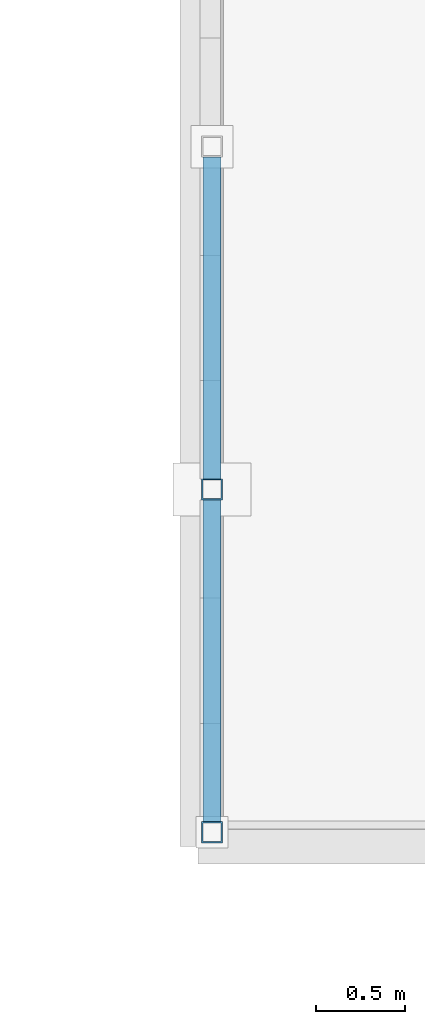
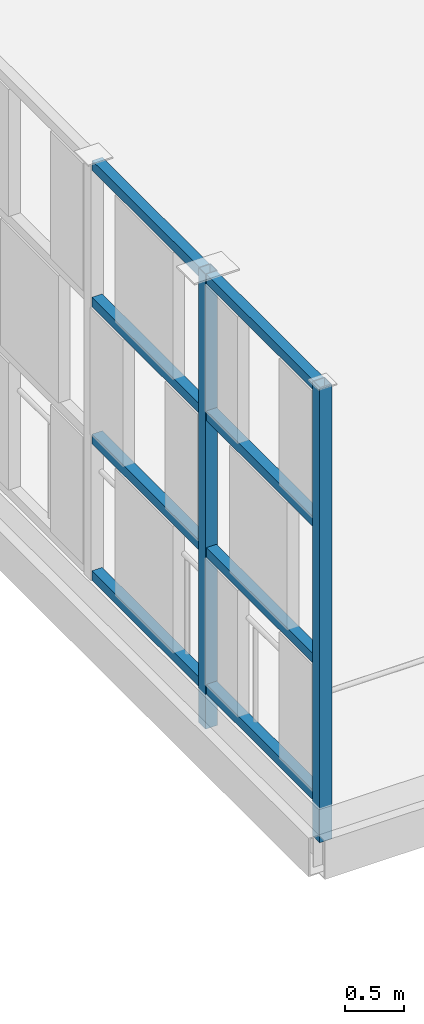
# One storey, part 42 of 138: 10 members.
"""IFC4 building model written with IfcOpenShell, lengths in metres."""

from ifc_helpers import new_model, si_unit, direction, frame, origin, origin_2d, place, context, subcontext, project, spatial, hollow_rectangle, extrude, material, material_profile, profile_set, type_object, element, save


model = new_model("IFC4")

# Units and contexts
model_context = context("Model", 3, precision=1e-05, world=origin(), true_north=direction((0.0, 1.0)))
body_context = subcontext(model_context, "Body", "Model", "MODEL_VIEW")
ifc_project = project(units=[si_unit("LENGTHUNIT", "METRE"), si_unit("AREAUNIT", "SQUARE_METRE"), si_unit("VOLUMEUNIT", "CUBIC_METRE"), si_unit("PLANEANGLEUNIT", "RADIAN"), si_unit("MASSUNIT", "GRAM", prefix="KILO")], contexts=[model_context])

# Site, building, storey
site_placement = place(None, origin())
site = spatial("IfcSite", under=ifc_project, at=site_placement, CompositionType="ELEMENT")
building_placement = place(site_placement, origin())
building = spatial("IfcBuilding", under=site, at=building_placement, Name="Celorna Specialist Clinic", CompositionType="ELEMENT")
storey_placement = place(building_placement, frame((0.0, 0.0, 4.800048828125)))
storey = spatial("IfcBuildingStorey", under=building, at=storey_placement, Name="L01", CompositionType="ELEMENT", Elevation=4.800048828125)

# Members
ifc_material = material(Name="Steel S355", Category="steel")
ifc_material_profile_1 = material_profile(ifc_material, hollow_rectangle(XDim=0.1201171875, YDim=0.1201171875, WallThickness=0.008056640625, at=origin_2d()), Name="SHS 120x120x8")
ifc_profile_set_1 = profile_set([ifc_material_profile_1], Name="Steel S355")
member_type_1 = type_object("IfcMemberType", Name="MB-11", PredefinedType="STUD", material=ifc_profile_set_1)
for number, where, z_axis, x_axis, name in (
    (1, (124.8798828125, 60.080078125, -0.360107421875), (0.0, 0.0, 1.0), (1.0, 0.0, 0.0), "Perforated screen steel post #1899"),
    (2, (124.8798828125, 62.0166015625, -0.360107421875), (0.0, 0.0, 1.0), (1.0, 0.0, 0.0), "Perforated screen steel post #1900"),
):
    element("IfcMember", number, at=place(storey_placement, frame(where, z_axis=z_axis, x_axis=x_axis)), inside=storey, type_object=member_type_1, Name=name, PredefinedType="STUD", context=body_context, shape_type="SweptSolid", body=[
        extrude(hollow_rectangle(XDim=0.1201171875, YDim=0.1201171875, WallThickness=0.008056640625, at=origin_2d()), origin(), (0.0, 0.0, 1.0), 4.699951171875),
    ])
ifc_material_profile_2 = material_profile(ifc_material, hollow_rectangle(XDim=0.10009765625, YDim=0.10009765625, WallThickness=0.006103515625, at=origin_2d()), Name="SHS 100x100x6")
ifc_profile_set_2 = profile_set([ifc_material_profile_2], Name="Steel S355")
member_type_2 = type_object("IfcMemberType", Name="MB-12", PredefinedType="STUD", material=ifc_profile_set_2)
for number, where, z_axis, x_axis, name in (
    (3, (124.8798828125, 60.139892578125, 0.050048828125), (0.0, 1.0, 0.0), (-1.0, 0.0, 0.0), "Perforated screen rail #1912"),
    (4, (124.8798828125, 60.139892578125, 1.463134765625), (0.0, 1.0, 0.0), (-1.0, 0.0, 0.0), "Perforated screen rail #1913"),
    (5, (124.8798828125, 60.139892578125, 2.876708984375), (0.0, 1.0, 0.0), (-1.0, 0.0, 0.0), "Perforated screen rail #1914"),
    (6, (124.8798828125, 60.139892578125, 4.2900390625), (0.0, 1.0, 0.0), (-1.0, 0.0, 0.0), "Perforated screen rail #1915"),
):
    element("IfcMember", number, at=place(storey_placement, frame(where, z_axis=z_axis, x_axis=x_axis)), inside=storey, type_object=member_type_2, Name=name, PredefinedType="STUD", context=body_context, shape_type="SweptSolid", body=[
        extrude(hollow_rectangle(XDim=0.10009765625, YDim=0.10009765625, WallThickness=0.006103515625, at=origin_2d()), origin(), (0.0, 0.0, 1.0), 1.81689453125),
    ])
for number, where, z_axis, x_axis, name in (
    (7, (124.8798828125, 62.07666015625, 0.050048828125), (0.0, 1.0, 0.0), (-1.0, 0.0, 0.0), "Perforated screen rail #1916"),
    (8, (124.8798828125, 62.07666015625, 1.463134765625), (0.0, 1.0, 0.0), (-1.0, 0.0, 0.0), "Perforated screen rail #1917"),
    (9, (124.8798828125, 62.07666015625, 2.876708984375), (0.0, 1.0, 0.0), (-1.0, 0.0, 0.0), "Perforated screen rail #1918"),
    (10, (124.8798828125, 62.07666015625, 4.2900390625), (0.0, 1.0, 0.0), (-1.0, 0.0, 0.0), "Perforated screen rail #1919"),
):
    element("IfcMember", number, at=place(storey_placement, frame(where, z_axis=z_axis, x_axis=x_axis)), inside=storey, type_object=member_type_2, Name=name, PredefinedType="STUD", context=body_context, shape_type="SweptSolid", body=[
        extrude(hollow_rectangle(XDim=0.10009765625, YDim=0.10009765625, WallThickness=0.006103515625, at=origin_2d()), origin(), (0.0, 0.0, 1.0), 1.816650390625),
    ])

save(model, "model.ifc")
